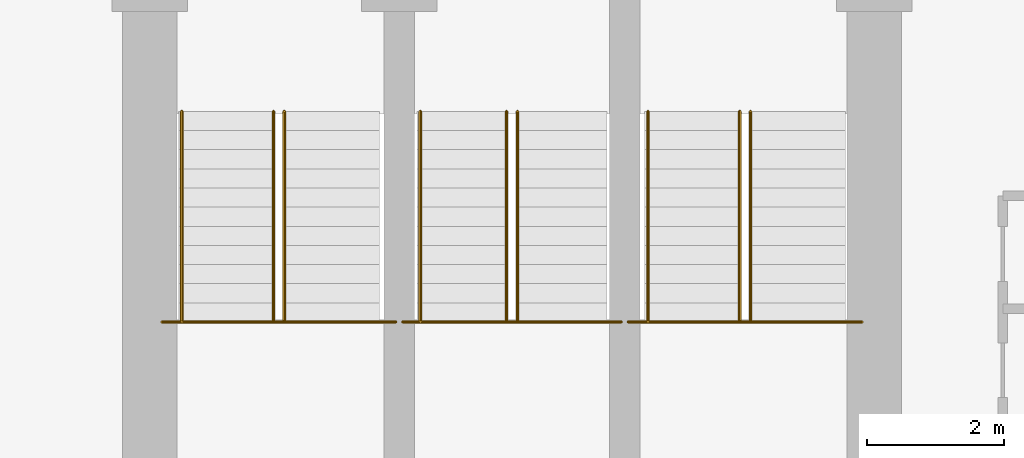
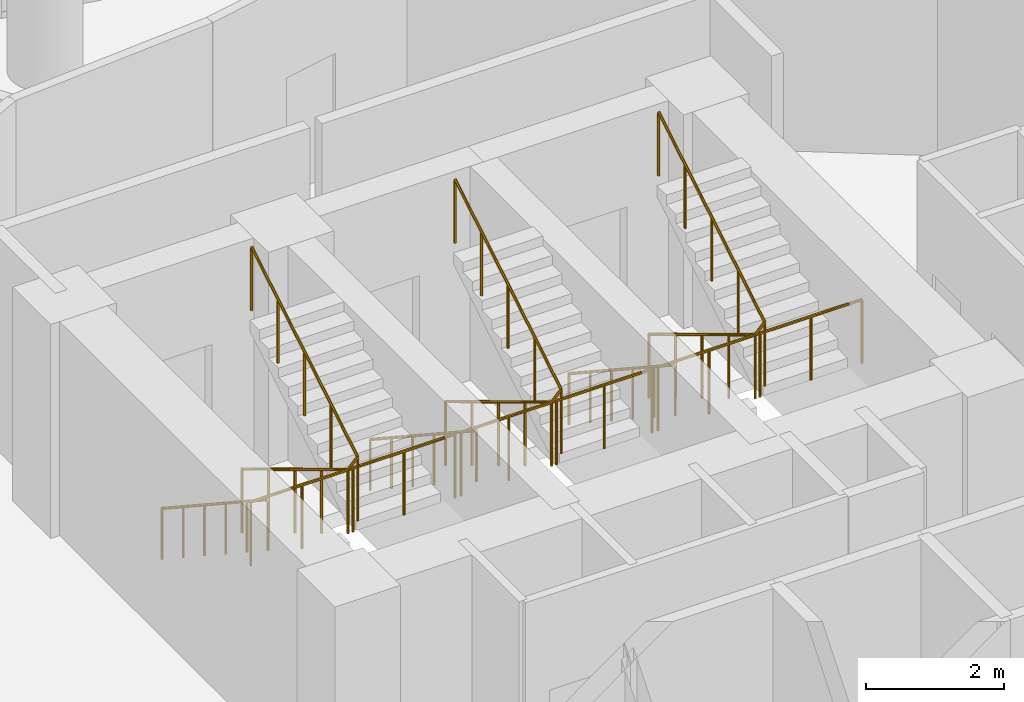
# One storey, part 24 of 24: 9 railings.
"""IFC4 building model written with IfcOpenShell, lengths in metres."""

from ifc_helpers import new_model, si_unit, direction, frame, origin, place, context, subcontext, project, spatial, polyline, outline, extrude, material, type_object, element, save


model = new_model("IFC4")

# Units and contexts
model_context = context("Model", 3, precision=1e-05, world=origin(), true_north=direction((0.0, 1.0)))
body_context = subcontext(model_context, "Body", "Model", "MODEL_VIEW")
ifc_project = project(units=[si_unit("LENGTHUNIT", "METRE"), si_unit("AREAUNIT", "SQUARE_METRE"), si_unit("VOLUMEUNIT", "CUBIC_METRE"), si_unit("PLANEANGLEUNIT", "RADIAN"), si_unit("MASSUNIT", "GRAM", prefix="KILO")], contexts=[model_context])

# Site, building, storey
site_placement = place(None, origin())
site = spatial("IfcSite", under=ifc_project, at=site_placement, CompositionType="ELEMENT")
building_placement = place(site_placement, origin())
building = spatial("IfcBuilding", under=site, at=building_placement, Name="Nuhasar Tower", CompositionType="ELEMENT")
storey_placement = place(building_placement, frame((0.0, 0.0, 25.050048828125)))
storey = spatial("IfcBuildingStorey", under=building, at=storey_placement, Name="L05", CompositionType="ELEMENT", Elevation=25.050048828125)

# Railings
ifc_material_1 = material(Name="Steel S355", Category="steel")
railing_type_1 = type_object("IfcRailingType", Name="RLG-STAIR-GUARD-1150", PredefinedType="GUARDRAIL", material=ifc_material_1)
railing_1_placement = place(storey_placement, frame((33.8798828125, 32.205078125, 2.02490234375)))
element("IfcRailing", 1, at=railing_1_placement, inside=storey, type_object=railing_type_1, Name="L05 Stair ST-01 Guardrail LND", PredefinedType="GUARDRAIL", context=body_context, shape_type="SweptSolid", body=[
    extrude(outline(polyline([(0.024169921875, 0.0), (0.01708984375, 0.01708984375), (0.0, 0.024169921875), (-0.01708984375, 0.01708984375), (-0.024169921875, 0.0), (-0.01708984375, -0.01708984375), (0.0, -0.024169921875), (0.01708984375, -0.01708984375), (0.024169921875, 0.0)])), frame((0.0, 0.0, 1.1259765625), z_axis=(1.0, 0.0, 0.0), x_axis=(0.0, 1.0, 0.0)), (0.0, 0.0, 1.0), 3.420166015625),
    extrude(outline(polyline([(0.02099609375, 0.0), (0.014892578125, 0.014892578125), (0.0, 0.02099609375), (-0.014892578125, 0.014892578125), (-0.02099609375, 0.0), (-0.014892578125, -0.014892578125), (0.0, -0.02099609375), (0.014892578125, -0.014892578125), (0.02099609375, 0.0)])), origin(), (0.0, 0.0, 1.0), 1.101806640625),
    extrude(outline(polyline([(0.02099609375, 0.0), (0.014892578125, 0.014892578125), (0.0, 0.02099609375), (-0.014892578125, 0.014892578125), (-0.02099609375, 0.0), (-0.014892578125, -0.014892578125), (0.0, -0.02099609375), (0.014892578125, -0.014892578125), (0.02099609375, 0.0)])), frame((0.85498046875, 0.0, 0.0)), (0.0, 0.0, 1.0), 1.101806640625),
    extrude(outline(polyline([(0.02099609375, 0.0), (0.014892578125, 0.014892578125), (0.0, 0.02099609375), (-0.014892578125, 0.014892578125), (-0.02099609375, 0.0), (-0.014892578125, -0.014892578125), (0.0, -0.02099609375), (0.014892578125, -0.014892578125), (0.02099609375, 0.0)])), frame((1.7099609375, 0.0, 0.0)), (0.0, 0.0, 1.0), 1.101806640625),
    extrude(outline(polyline([(0.02099609375, 0.0), (0.014892578125, 0.014892578125), (0.0, 0.02099609375), (-0.014892578125, 0.014892578125), (-0.02099609375, 0.0), (-0.014892578125, -0.014892578125), (0.0, -0.02099609375), (0.014892578125, -0.014892578125), (0.02099609375, 0.0)])), frame((2.565185546875, 0.0, 0.0)), (0.0, 0.0, 1.0), 1.101806640625),
    extrude(outline(polyline([(0.02099609375, 0.0), (0.014892578125, 0.014892578125), (0.0, 0.02099609375), (-0.014892578125, 0.014892578125), (-0.02099609375, 0.0), (-0.014892578125, -0.014892578125), (0.0, -0.02099609375), (0.014892578125, -0.014892578125), (0.02099609375, 0.0)])), frame((3.420166015625, 0.0, 0.0)), (0.0, 0.0, 1.0), 1.101806640625),
])
railing_2_placement = place(storey_placement, frame((35.510009765625, 35.284912109375, 0.1689453125)))
element("IfcRailing", 2, at=railing_2_placement, inside=storey, type_object=railing_type_1, Name="L05 Stair ST-01 Guardrail SLT", PredefinedType="GUARDRAIL", context=body_context, shape_type="SweptSolid", body=[
    extrude(outline(polyline([(0.024169921875, 0.0), (0.01708984375, 0.01708984375), (0.0, 0.024169921875), (-0.01708984375, 0.01708984375), (-0.024169921875, 0.0), (-0.01708984375, -0.01708984375), (0.0, -0.024169921875), (0.01708984375, -0.01708984375), (0.024169921875, 0.0)])), frame((0.0, 0.0, 1.1259765625), z_axis=(0.0, -0.856502863198, 0.516142272377), x_axis=(1.0, 0.0, 0.0)), (0.0, 0.0, 1.0), 3.595703125),
    extrude(outline(polyline([(0.024169921875, 0.0), (0.01708984375, 0.01708984375), (0.0, 0.024169921875), (-0.01708984375, 0.01708984375), (-0.024169921875, 0.0), (-0.01708984375, -0.01708984375), (0.0, -0.024169921875), (0.01708984375, -0.01708984375), (0.024169921875, 0.0)])), frame((0.0, -3.079833984375, 2.98193359375), z_axis=(0.687424367727, 0.0, 0.726255973232), x_axis=(0.0, 1.0, 0.0)), (0.0, 0.0, 1.0), 0.232666015625),
    extrude(outline(polyline([(0.024169921875, 0.0), (0.01708984375, 0.01708984375), (0.0, 0.024169921875), (-0.01708984375, 0.01708984375), (-0.024169921875, 0.0), (-0.01708984375, -0.01708984375), (0.0, -0.024169921875), (0.01708984375, -0.01708984375), (0.024169921875, 0.0)])), frame((0.159912109375, -3.079833984375, 3.15087890625), z_axis=(0.0, 0.8564728477, 0.51619207777), x_axis=(-1.0, 0.0, 0.0)), (0.0, 0.0, 1.0), 3.595947265625),
    extrude(outline(polyline([(0.02099609375, 0.0), (0.014892578125, 0.014892578125), (0.0, 0.02099609375), (-0.014892578125, 0.014892578125), (-0.02099609375, 0.0), (-0.014892578125, -0.014892578125), (0.0, -0.02099609375), (0.014892578125, -0.014892578125), (0.02099609375, 0.0)])), origin(), (0.0, 0.0, 1.0), 1.101806640625),
    extrude(outline(polyline([(0.02099609375, 0.0), (0.014892578125, 0.014892578125), (0.0, 0.02099609375), (-0.014892578125, 0.014892578125), (-0.02099609375, 0.0), (-0.014892578125, -0.014892578125), (0.0, -0.02099609375), (0.014892578125, -0.014892578125), (0.02099609375, 0.0)])), frame((0.0, -0.77001953125, 0.4638671875)), (0.0, 0.0, 1.0), 1.101806640625),
    extrude(outline(polyline([(0.02099609375, 0.0), (0.014892578125, 0.014892578125), (0.0, 0.02099609375), (-0.014892578125, 0.014892578125), (-0.02099609375, 0.0), (-0.014892578125, -0.014892578125), (0.0, -0.02099609375), (0.014892578125, -0.014892578125), (0.02099609375, 0.0)])), frame((0.0, -1.5400390625, 0.927978515625)), (0.0, 0.0, 1.0), 1.101806640625),
    extrude(outline(polyline([(0.02099609375, 0.0), (0.014892578125, 0.014892578125), (0.0, 0.02099609375), (-0.014892578125, 0.014892578125), (-0.02099609375, 0.0), (-0.014892578125, -0.014892578125), (0.0, -0.02099609375), (0.014892578125, -0.014892578125), (0.02099609375, 0.0)])), frame((0.0, -2.309814453125, 1.39208984375)), (0.0, 0.0, 1.0), 1.101806640625),
    extrude(outline(polyline([(0.02099609375, 0.0), (0.014892578125, 0.014892578125), (0.0, 0.02099609375), (-0.014892578125, 0.014892578125), (-0.02099609375, 0.0), (-0.014892578125, -0.014892578125), (0.0, -0.02099609375), (0.014892578125, -0.014892578125), (0.02099609375, 0.0)])), frame((0.0, -3.079833984375, 1.85595703125)), (0.0, 0.0, 1.0), 1.101806640625),
    extrude(outline(polyline([(0.02099609375, 0.0), (0.014892578125, 0.014892578125), (0.0, 0.02099609375), (-0.014892578125, 0.014892578125), (-0.02099609375, 0.0), (-0.014892578125, -0.014892578125), (0.0, -0.02099609375), (0.014892578125, -0.014892578125), (0.02099609375, 0.0)])), frame((0.159912109375, -3.079833984375, 2.02490234375)), (0.0, 0.0, 1.0), 1.101806640625),
    extrude(outline(polyline([(0.02099609375, 0.0), (0.014892578125, 0.014892578125), (0.0, 0.02099609375), (-0.014892578125, 0.014892578125), (-0.02099609375, 0.0), (-0.014892578125, -0.014892578125), (0.0, -0.02099609375), (0.014892578125, -0.014892578125), (0.02099609375, 0.0)])), frame((0.159912109375, -2.309814453125, 2.489013671875)), (0.0, 0.0, 1.0), 1.101806640625),
    extrude(outline(polyline([(0.02099609375, 0.0), (0.014892578125, 0.014892578125), (0.0, 0.02099609375), (-0.014892578125, 0.014892578125), (-0.02099609375, 0.0), (-0.014892578125, -0.014892578125), (0.0, -0.02099609375), (0.014892578125, -0.014892578125), (0.02099609375, 0.0)])), frame((0.159912109375, -1.5400390625, 2.953125)), (0.0, 0.0, 1.0), 1.101806640625),
    extrude(outline(polyline([(0.02099609375, 0.0), (0.014892578125, 0.014892578125), (0.0, 0.02099609375), (-0.014892578125, 0.014892578125), (-0.02099609375, 0.0), (-0.014892578125, -0.014892578125), (0.0, -0.02099609375), (0.014892578125, -0.014892578125), (0.02099609375, 0.0)])), frame((0.159912109375, -0.77001953125, 3.4169921875)), (0.0, 0.0, 1.0), 1.101806640625),
    extrude(outline(polyline([(0.02099609375, 0.0), (0.014892578125, 0.014892578125), (0.0, 0.02099609375), (-0.014892578125, 0.014892578125), (-0.02099609375, 0.0), (-0.014892578125, -0.014892578125), (0.0, -0.02099609375), (0.014892578125, -0.014892578125), (0.02099609375, 0.0)])), frame((0.159912109375, 0.0, 3.881103515625)), (0.0, 0.0, 1.0), 1.101806640625),
])
railing_3_placement = place(storey_placement, frame((37.39990234375, 32.205078125, 2.02490234375)))
element("IfcRailing", 3, at=railing_3_placement, inside=storey, type_object=railing_type_1, Name="L05 Stair ST-03 Guardrail LND", PredefinedType="GUARDRAIL", context=body_context, shape_type="SweptSolid", body=[
    extrude(outline(polyline([(0.024169921875, 0.0), (0.01708984375, 0.01708984375), (0.0, 0.024169921875), (-0.01708984375, 0.01708984375), (-0.024169921875, 0.0), (-0.01708984375, -0.01708984375), (0.0, -0.024169921875), (0.01708984375, -0.01708984375), (0.024169921875, 0.0)])), frame((0.0, 0.0, 1.1259765625), z_axis=(1.0, 0.0, 0.0), x_axis=(0.0, 1.0, 0.0)), (0.0, 0.0, 1.0), 3.2001953125),
    extrude(outline(polyline([(0.02099609375, 0.0), (0.014892578125, 0.014892578125), (0.0, 0.02099609375), (-0.014892578125, 0.014892578125), (-0.02099609375, 0.0), (-0.014892578125, -0.014892578125), (0.0, -0.02099609375), (0.014892578125, -0.014892578125), (0.02099609375, 0.0)])), origin(), (0.0, 0.0, 1.0), 1.101806640625),
    extrude(outline(polyline([(0.02099609375, 0.0), (0.014892578125, 0.014892578125), (0.0, 0.02099609375), (-0.014892578125, 0.014892578125), (-0.02099609375, 0.0), (-0.014892578125, -0.014892578125), (0.0, -0.02099609375), (0.014892578125, -0.014892578125), (0.02099609375, 0.0)])), frame((0.800048828125, 0.0, 0.0)), (0.0, 0.0, 1.0), 1.101806640625),
    extrude(outline(polyline([(0.02099609375, 0.0), (0.014892578125, 0.014892578125), (0.0, 0.02099609375), (-0.014892578125, 0.014892578125), (-0.02099609375, 0.0), (-0.014892578125, -0.014892578125), (0.0, -0.02099609375), (0.014892578125, -0.014892578125), (0.02099609375, 0.0)])), frame((1.60009765625, 0.0, 0.0)), (0.0, 0.0, 1.0), 1.101806640625),
    extrude(outline(polyline([(0.02099609375, 0.0), (0.014892578125, 0.014892578125), (0.0, 0.02099609375), (-0.014892578125, 0.014892578125), (-0.02099609375, 0.0), (-0.014892578125, -0.014892578125), (0.0, -0.02099609375), (0.014892578125, -0.014892578125), (0.02099609375, 0.0)])), frame((2.400146484375, 0.0, 0.0)), (0.0, 0.0, 1.0), 1.101806640625),
    extrude(outline(polyline([(0.02099609375, 0.0), (0.014892578125, 0.014892578125), (0.0, 0.02099609375), (-0.014892578125, 0.014892578125), (-0.02099609375, 0.0), (-0.014892578125, -0.014892578125), (0.0, -0.02099609375), (0.014892578125, -0.014892578125), (0.02099609375, 0.0)])), frame((3.2001953125, 0.0, 0.0)), (0.0, 0.0, 1.0), 1.101806640625),
])
railing_4_placement = place(storey_placement, frame((38.919921875, 35.284912109375, 0.1689453125)))
element("IfcRailing", 4, at=railing_4_placement, inside=storey, type_object=railing_type_1, Name="L05 Stair ST-03 Guardrail SLT", PredefinedType="GUARDRAIL", context=body_context, shape_type="SweptSolid", body=[
    extrude(outline(polyline([(0.024169921875, 0.0), (0.01708984375, 0.01708984375), (0.0, 0.024169921875), (-0.01708984375, 0.01708984375), (-0.024169921875, 0.0), (-0.01708984375, -0.01708984375), (0.0, -0.024169921875), (0.01708984375, -0.01708984375), (0.024169921875, 0.0)])), frame((0.0, 0.0, 1.1259765625), z_axis=(0.0, -0.856502863198, 0.516142272377), x_axis=(1.0, 0.0, 0.0)), (0.0, 0.0, 1.0), 3.595703125),
    extrude(outline(polyline([(0.024169921875, 0.0), (0.01708984375, 0.01708984375), (0.0, 0.024169921875), (-0.01708984375, 0.01708984375), (-0.024169921875, 0.0), (-0.01708984375, -0.01708984375), (0.0, -0.024169921875), (0.01708984375, -0.01708984375), (0.024169921875, 0.0)])), frame((0.0, -3.079833984375, 2.98193359375), z_axis=(0.687977326998, 0.0, 0.725732180309), x_axis=(0.0, 1.0, 0.0)), (0.0, 0.0, 1.0), 0.23291015625),
    extrude(outline(polyline([(0.024169921875, 0.0), (0.01708984375, 0.01708984375), (0.0, 0.024169921875), (-0.01708984375, 0.01708984375), (-0.024169921875, 0.0), (-0.01708984375, -0.01708984375), (0.0, -0.024169921875), (0.01708984375, -0.01708984375), (0.024169921875, 0.0)])), frame((0.16015625, -3.079833984375, 3.15087890625), z_axis=(0.0, 0.8564728477, 0.51619207777), x_axis=(-1.0, 0.0, 0.0)), (0.0, 0.0, 1.0), 3.595947265625),
    extrude(outline(polyline([(0.02099609375, 0.0), (0.014892578125, 0.014892578125), (0.0, 0.02099609375), (-0.014892578125, 0.014892578125), (-0.02099609375, 0.0), (-0.014892578125, -0.014892578125), (0.0, -0.02099609375), (0.014892578125, -0.014892578125), (0.02099609375, 0.0)])), origin(), (0.0, 0.0, 1.0), 1.101806640625),
    extrude(outline(polyline([(0.02099609375, 0.0), (0.014892578125, 0.014892578125), (0.0, 0.02099609375), (-0.014892578125, 0.014892578125), (-0.02099609375, 0.0), (-0.014892578125, -0.014892578125), (0.0, -0.02099609375), (0.014892578125, -0.014892578125), (0.02099609375, 0.0)])), frame((0.0, -0.77001953125, 0.4638671875)), (0.0, 0.0, 1.0), 1.101806640625),
    extrude(outline(polyline([(0.02099609375, 0.0), (0.014892578125, 0.014892578125), (0.0, 0.02099609375), (-0.014892578125, 0.014892578125), (-0.02099609375, 0.0), (-0.014892578125, -0.014892578125), (0.0, -0.02099609375), (0.014892578125, -0.014892578125), (0.02099609375, 0.0)])), frame((0.0, -1.5400390625, 0.927978515625)), (0.0, 0.0, 1.0), 1.101806640625),
    extrude(outline(polyline([(0.02099609375, 0.0), (0.014892578125, 0.014892578125), (0.0, 0.02099609375), (-0.014892578125, 0.014892578125), (-0.02099609375, 0.0), (-0.014892578125, -0.014892578125), (0.0, -0.02099609375), (0.014892578125, -0.014892578125), (0.02099609375, 0.0)])), frame((0.0, -2.309814453125, 1.39208984375)), (0.0, 0.0, 1.0), 1.101806640625),
    extrude(outline(polyline([(0.02099609375, 0.0), (0.014892578125, 0.014892578125), (0.0, 0.02099609375), (-0.014892578125, 0.014892578125), (-0.02099609375, 0.0), (-0.014892578125, -0.014892578125), (0.0, -0.02099609375), (0.014892578125, -0.014892578125), (0.02099609375, 0.0)])), frame((0.0, -3.079833984375, 1.85595703125)), (0.0, 0.0, 1.0), 1.101806640625),
    extrude(outline(polyline([(0.02099609375, 0.0), (0.014892578125, 0.014892578125), (0.0, 0.02099609375), (-0.014892578125, 0.014892578125), (-0.02099609375, 0.0), (-0.014892578125, -0.014892578125), (0.0, -0.02099609375), (0.014892578125, -0.014892578125), (0.02099609375, 0.0)])), frame((0.16015625, -3.079833984375, 2.02490234375)), (0.0, 0.0, 1.0), 1.101806640625),
    extrude(outline(polyline([(0.02099609375, 0.0), (0.014892578125, 0.014892578125), (0.0, 0.02099609375), (-0.014892578125, 0.014892578125), (-0.02099609375, 0.0), (-0.014892578125, -0.014892578125), (0.0, -0.02099609375), (0.014892578125, -0.014892578125), (0.02099609375, 0.0)])), frame((0.16015625, -2.309814453125, 2.489013671875)), (0.0, 0.0, 1.0), 1.101806640625),
    extrude(outline(polyline([(0.02099609375, 0.0), (0.014892578125, 0.014892578125), (0.0, 0.02099609375), (-0.014892578125, 0.014892578125), (-0.02099609375, 0.0), (-0.014892578125, -0.014892578125), (0.0, -0.02099609375), (0.014892578125, -0.014892578125), (0.02099609375, 0.0)])), frame((0.16015625, -1.5400390625, 2.953125)), (0.0, 0.0, 1.0), 1.101806640625),
    extrude(outline(polyline([(0.02099609375, 0.0), (0.014892578125, 0.014892578125), (0.0, 0.02099609375), (-0.014892578125, 0.014892578125), (-0.02099609375, 0.0), (-0.014892578125, -0.014892578125), (0.0, -0.02099609375), (0.014892578125, -0.014892578125), (0.02099609375, 0.0)])), frame((0.16015625, -0.77001953125, 3.4169921875)), (0.0, 0.0, 1.0), 1.101806640625),
    extrude(outline(polyline([(0.02099609375, 0.0), (0.014892578125, 0.014892578125), (0.0, 0.02099609375), (-0.014892578125, 0.014892578125), (-0.02099609375, 0.0), (-0.014892578125, -0.014892578125), (0.0, -0.02099609375), (0.014892578125, -0.014892578125), (0.02099609375, 0.0)])), frame((0.16015625, 0.0, 3.881103515625)), (0.0, 0.0, 1.0), 1.101806640625),
])
railing_5_placement = place(storey_placement, frame((40.699951171875, 32.205078125, 2.02490234375)))
element("IfcRailing", 5, at=railing_5_placement, inside=storey, type_object=railing_type_1, Name="L05 Stair ST-02 Guardrail LND", PredefinedType="GUARDRAIL", context=body_context, shape_type="SweptSolid", body=[
    extrude(outline(polyline([(0.024169921875, 0.0), (0.01708984375, 0.01708984375), (0.0, 0.024169921875), (-0.01708984375, 0.01708984375), (-0.024169921875, 0.0), (-0.01708984375, -0.01708984375), (0.0, -0.024169921875), (0.01708984375, -0.01708984375), (0.024169921875, 0.0)])), frame((0.0, 0.0, 1.1259765625), z_axis=(1.0, 0.0, 0.0), x_axis=(0.0, 1.0, 0.0)), (0.0, 0.0, 1.0), 3.420166015625),
    extrude(outline(polyline([(0.02099609375, 0.0), (0.014892578125, 0.014892578125), (0.0, 0.02099609375), (-0.014892578125, 0.014892578125), (-0.02099609375, 0.0), (-0.014892578125, -0.014892578125), (0.0, -0.02099609375), (0.014892578125, -0.014892578125), (0.02099609375, 0.0)])), origin(), (0.0, 0.0, 1.0), 1.101806640625),
    extrude(outline(polyline([(0.02099609375, 0.0), (0.014892578125, 0.014892578125), (0.0, 0.02099609375), (-0.014892578125, 0.014892578125), (-0.02099609375, 0.0), (-0.014892578125, -0.014892578125), (0.0, -0.02099609375), (0.014892578125, -0.014892578125), (0.02099609375, 0.0)])), frame((0.85498046875, 0.0, 0.0)), (0.0, 0.0, 1.0), 1.101806640625),
    extrude(outline(polyline([(0.02099609375, 0.0), (0.014892578125, 0.014892578125), (0.0, 0.02099609375), (-0.014892578125, 0.014892578125), (-0.02099609375, 0.0), (-0.014892578125, -0.014892578125), (0.0, -0.02099609375), (0.014892578125, -0.014892578125), (0.02099609375, 0.0)])), frame((1.7099609375, 0.0, 0.0)), (0.0, 0.0, 1.0), 1.101806640625),
    extrude(outline(polyline([(0.02099609375, 0.0), (0.014892578125, 0.014892578125), (0.0, 0.02099609375), (-0.014892578125, 0.014892578125), (-0.02099609375, 0.0), (-0.014892578125, -0.014892578125), (0.0, -0.02099609375), (0.014892578125, -0.014892578125), (0.02099609375, 0.0)])), frame((2.565185546875, 0.0, 0.0)), (0.0, 0.0, 1.0), 1.101806640625),
    extrude(outline(polyline([(0.02099609375, 0.0), (0.014892578125, 0.014892578125), (0.0, 0.02099609375), (-0.014892578125, 0.014892578125), (-0.02099609375, 0.0), (-0.014892578125, -0.014892578125), (0.0, -0.02099609375), (0.014892578125, -0.014892578125), (0.02099609375, 0.0)])), frame((3.420166015625, 0.0, 0.0)), (0.0, 0.0, 1.0), 1.101806640625),
])
railing_6_placement = place(storey_placement, frame((42.330078125, 35.284912109375, 0.1689453125)))
element("IfcRailing", 6, at=railing_6_placement, inside=storey, type_object=railing_type_1, Name="L05 Stair ST-02 Guardrail SLT", PredefinedType="GUARDRAIL", context=body_context, shape_type="SweptSolid", body=[
    extrude(outline(polyline([(0.024169921875, 0.0), (0.01708984375, 0.01708984375), (0.0, 0.024169921875), (-0.01708984375, 0.01708984375), (-0.024169921875, 0.0), (-0.01708984375, -0.01708984375), (0.0, -0.024169921875), (0.01708984375, -0.01708984375), (0.024169921875, 0.0)])), frame((0.0, 0.0, 1.1259765625), z_axis=(0.0, -0.856502863198, 0.516142272377), x_axis=(1.0, 0.0, 0.0)), (0.0, 0.0, 1.0), 3.595703125),
    extrude(outline(polyline([(0.024169921875, 0.0), (0.01708984375, 0.01708984375), (0.0, 0.024169921875), (-0.01708984375, 0.01708984375), (-0.024169921875, 0.0), (-0.01708984375, -0.01708984375), (0.0, -0.024169921875), (0.01708984375, -0.01708984375), (0.024169921875, 0.0)])), frame((0.0, -3.079833984375, 2.98193359375), z_axis=(0.687424367727, 0.0, 0.726255973232), x_axis=(0.0, 1.0, 0.0)), (0.0, 0.0, 1.0), 0.232666015625),
    extrude(outline(polyline([(0.024169921875, 0.0), (0.01708984375, 0.01708984375), (0.0, 0.024169921875), (-0.01708984375, 0.01708984375), (-0.024169921875, 0.0), (-0.01708984375, -0.01708984375), (0.0, -0.024169921875), (0.01708984375, -0.01708984375), (0.024169921875, 0.0)])), frame((0.159912109375, -3.079833984375, 3.15087890625), z_axis=(0.0, 0.8564728477, 0.51619207777), x_axis=(-1.0, 0.0, 0.0)), (0.0, 0.0, 1.0), 3.595947265625),
    extrude(outline(polyline([(0.02099609375, 0.0), (0.014892578125, 0.014892578125), (0.0, 0.02099609375), (-0.014892578125, 0.014892578125), (-0.02099609375, 0.0), (-0.014892578125, -0.014892578125), (0.0, -0.02099609375), (0.014892578125, -0.014892578125), (0.02099609375, 0.0)])), origin(), (0.0, 0.0, 1.0), 1.101806640625),
    extrude(outline(polyline([(0.02099609375, 0.0), (0.014892578125, 0.014892578125), (0.0, 0.02099609375), (-0.014892578125, 0.014892578125), (-0.02099609375, 0.0), (-0.014892578125, -0.014892578125), (0.0, -0.02099609375), (0.014892578125, -0.014892578125), (0.02099609375, 0.0)])), frame((0.0, -0.77001953125, 0.4638671875)), (0.0, 0.0, 1.0), 1.101806640625),
    extrude(outline(polyline([(0.02099609375, 0.0), (0.014892578125, 0.014892578125), (0.0, 0.02099609375), (-0.014892578125, 0.014892578125), (-0.02099609375, 0.0), (-0.014892578125, -0.014892578125), (0.0, -0.02099609375), (0.014892578125, -0.014892578125), (0.02099609375, 0.0)])), frame((0.0, -1.5400390625, 0.927978515625)), (0.0, 0.0, 1.0), 1.101806640625),
    extrude(outline(polyline([(0.02099609375, 0.0), (0.014892578125, 0.014892578125), (0.0, 0.02099609375), (-0.014892578125, 0.014892578125), (-0.02099609375, 0.0), (-0.014892578125, -0.014892578125), (0.0, -0.02099609375), (0.014892578125, -0.014892578125), (0.02099609375, 0.0)])), frame((0.0, -2.309814453125, 1.39208984375)), (0.0, 0.0, 1.0), 1.101806640625),
    extrude(outline(polyline([(0.02099609375, 0.0), (0.014892578125, 0.014892578125), (0.0, 0.02099609375), (-0.014892578125, 0.014892578125), (-0.02099609375, 0.0), (-0.014892578125, -0.014892578125), (0.0, -0.02099609375), (0.014892578125, -0.014892578125), (0.02099609375, 0.0)])), frame((0.0, -3.079833984375, 1.85595703125)), (0.0, 0.0, 1.0), 1.101806640625),
    extrude(outline(polyline([(0.02099609375, 0.0), (0.014892578125, 0.014892578125), (0.0, 0.02099609375), (-0.014892578125, 0.014892578125), (-0.02099609375, 0.0), (-0.014892578125, -0.014892578125), (0.0, -0.02099609375), (0.014892578125, -0.014892578125), (0.02099609375, 0.0)])), frame((0.159912109375, -3.079833984375, 2.02490234375)), (0.0, 0.0, 1.0), 1.101806640625),
    extrude(outline(polyline([(0.02099609375, 0.0), (0.014892578125, 0.014892578125), (0.0, 0.02099609375), (-0.014892578125, 0.014892578125), (-0.02099609375, 0.0), (-0.014892578125, -0.014892578125), (0.0, -0.02099609375), (0.014892578125, -0.014892578125), (0.02099609375, 0.0)])), frame((0.159912109375, -2.309814453125, 2.489013671875)), (0.0, 0.0, 1.0), 1.101806640625),
    extrude(outline(polyline([(0.02099609375, 0.0), (0.014892578125, 0.014892578125), (0.0, 0.02099609375), (-0.014892578125, 0.014892578125), (-0.02099609375, 0.0), (-0.014892578125, -0.014892578125), (0.0, -0.02099609375), (0.014892578125, -0.014892578125), (0.02099609375, 0.0)])), frame((0.159912109375, -1.5400390625, 2.953125)), (0.0, 0.0, 1.0), 1.101806640625),
    extrude(outline(polyline([(0.02099609375, 0.0), (0.014892578125, 0.014892578125), (0.0, 0.02099609375), (-0.014892578125, 0.014892578125), (-0.02099609375, 0.0), (-0.014892578125, -0.014892578125), (0.0, -0.02099609375), (0.014892578125, -0.014892578125), (0.02099609375, 0.0)])), frame((0.159912109375, -0.77001953125, 3.4169921875)), (0.0, 0.0, 1.0), 1.101806640625),
    extrude(outline(polyline([(0.02099609375, 0.0), (0.014892578125, 0.014892578125), (0.0, 0.02099609375), (-0.014892578125, 0.014892578125), (-0.02099609375, 0.0), (-0.014892578125, -0.014892578125), (0.0, -0.02099609375), (0.014892578125, -0.014892578125), (0.02099609375, 0.0)])), frame((0.159912109375, 0.0, 3.881103515625)), (0.0, 0.0, 1.0), 1.101806640625),
])
ifc_material_2 = material(Name="Stainless Steel 316L", Category="steel")
railing_type_2 = type_object("IfcRailingType", Name="RLG-STAIR-HAND-920", PredefinedType="HANDRAIL", material=ifc_material_2)
railing_7_placement = place(storey_placement, frame((34.169921875, 35.284912109375, 0.1689453125)))
element("IfcRailing", 7, at=railing_7_placement, inside=storey, type_object=railing_type_2, Name="L05 Stair ST-01 Handrail HND1", PredefinedType="HANDRAIL", context=body_context, shape_type="SweptSolid", body=[
    extrude(outline(polyline([(0.024169921875, 0.0), (0.01708984375, 0.01708984375), (0.0, 0.024169921875), (-0.01708984375, 0.01708984375), (-0.024169921875, 0.0), (-0.01708984375, -0.01708984375), (0.0, -0.024169921875), (0.01708984375, -0.01708984375), (0.024169921875, 0.0)])), frame((0.0, 0.0, 0.89599609375), z_axis=(0.0, -0.83557951683, 0.54936952141), x_axis=(1.0, 0.0, 0.0)), (0.0, 0.0, 1.0), 3.685791015625),
    extrude(outline(polyline([(0.02099609375, 0.0), (0.014892578125, 0.014892578125), (0.0, 0.02099609375), (-0.014892578125, 0.014892578125), (-0.02099609375, 0.0), (-0.014892578125, -0.014892578125), (0.0, -0.02099609375), (0.014892578125, -0.014892578125), (0.02099609375, 0.0)])), origin(), (0.0, 0.0, 1.0), 0.871826171875),
    extrude(outline(polyline([(0.02099609375, 0.0), (0.014892578125, 0.014892578125), (0.0, 0.02099609375), (-0.014892578125, 0.014892578125), (-0.02099609375, 0.0), (-0.014892578125, -0.014892578125), (0.0, -0.02099609375), (0.014892578125, -0.014892578125), (0.02099609375, 0.0)])), frame((0.0, -0.615966796875, 0.405029296875)), (0.0, 0.0, 1.0), 0.871826171875),
    extrude(outline(polyline([(0.02099609375, 0.0), (0.014892578125, 0.014892578125), (0.0, 0.02099609375), (-0.014892578125, 0.014892578125), (-0.02099609375, 0.0), (-0.014892578125, -0.014892578125), (0.0, -0.02099609375), (0.014892578125, -0.014892578125), (0.02099609375, 0.0)])), frame((0.0, -1.23193359375, 0.81005859375)), (0.0, 0.0, 1.0), 0.871826171875),
    extrude(outline(polyline([(0.02099609375, 0.0), (0.014892578125, 0.014892578125), (0.0, 0.02099609375), (-0.014892578125, 0.014892578125), (-0.02099609375, 0.0), (-0.014892578125, -0.014892578125), (0.0, -0.02099609375), (0.014892578125, -0.014892578125), (0.02099609375, 0.0)])), frame((0.0, -1.847900390625, 1.21484375)), (0.0, 0.0, 1.0), 0.871826171875),
    extrude(outline(polyline([(0.02099609375, 0.0), (0.014892578125, 0.014892578125), (0.0, 0.02099609375), (-0.014892578125, 0.014892578125), (-0.02099609375, 0.0), (-0.014892578125, -0.014892578125), (0.0, -0.02099609375), (0.014892578125, -0.014892578125), (0.02099609375, 0.0)])), frame((0.0, -2.4638671875, 1.619873046875)), (0.0, 0.0, 1.0), 0.871826171875),
    extrude(outline(polyline([(0.02099609375, 0.0), (0.014892578125, 0.014892578125), (0.0, 0.02099609375), (-0.014892578125, 0.014892578125), (-0.02099609375, 0.0), (-0.014892578125, -0.014892578125), (0.0, -0.02099609375), (0.014892578125, -0.014892578125), (0.02099609375, 0.0)])), frame((0.0, -3.079833984375, 2.02490234375)), (0.0, 0.0, 1.0), 0.871826171875),
])
railing_8_placement = place(storey_placement, frame((37.659912109375, 35.284912109375, 0.1689453125)))
element("IfcRailing", 8, at=railing_8_placement, inside=storey, type_object=railing_type_2, Name="L05 Stair ST-03 Handrail HND1", PredefinedType="HANDRAIL", context=body_context, shape_type="SweptSolid", body=[
    extrude(outline(polyline([(0.024169921875, 0.0), (0.01708984375, 0.01708984375), (0.0, 0.024169921875), (-0.01708984375, 0.01708984375), (-0.024169921875, 0.0), (-0.01708984375, -0.01708984375), (0.0, -0.024169921875), (0.01708984375, -0.01708984375), (0.024169921875, 0.0)])), frame((0.0, 0.0, 0.89599609375), z_axis=(0.0, -0.83557951683, 0.54936952141), x_axis=(1.0, 0.0, 0.0)), (0.0, 0.0, 1.0), 3.685791015625),
    extrude(outline(polyline([(0.02099609375, 0.0), (0.014892578125, 0.014892578125), (0.0, 0.02099609375), (-0.014892578125, 0.014892578125), (-0.02099609375, 0.0), (-0.014892578125, -0.014892578125), (0.0, -0.02099609375), (0.014892578125, -0.014892578125), (0.02099609375, 0.0)])), origin(), (0.0, 0.0, 1.0), 0.871826171875),
    extrude(outline(polyline([(0.02099609375, 0.0), (0.014892578125, 0.014892578125), (0.0, 0.02099609375), (-0.014892578125, 0.014892578125), (-0.02099609375, 0.0), (-0.014892578125, -0.014892578125), (0.0, -0.02099609375), (0.014892578125, -0.014892578125), (0.02099609375, 0.0)])), frame((0.0, -0.615966796875, 0.405029296875)), (0.0, 0.0, 1.0), 0.871826171875),
    extrude(outline(polyline([(0.02099609375, 0.0), (0.014892578125, 0.014892578125), (0.0, 0.02099609375), (-0.014892578125, 0.014892578125), (-0.02099609375, 0.0), (-0.014892578125, -0.014892578125), (0.0, -0.02099609375), (0.014892578125, -0.014892578125), (0.02099609375, 0.0)])), frame((0.0, -1.23193359375, 0.81005859375)), (0.0, 0.0, 1.0), 0.871826171875),
    extrude(outline(polyline([(0.02099609375, 0.0), (0.014892578125, 0.014892578125), (0.0, 0.02099609375), (-0.014892578125, 0.014892578125), (-0.02099609375, 0.0), (-0.014892578125, -0.014892578125), (0.0, -0.02099609375), (0.014892578125, -0.014892578125), (0.02099609375, 0.0)])), frame((0.0, -1.847900390625, 1.21484375)), (0.0, 0.0, 1.0), 0.871826171875),
    extrude(outline(polyline([(0.02099609375, 0.0), (0.014892578125, 0.014892578125), (0.0, 0.02099609375), (-0.014892578125, 0.014892578125), (-0.02099609375, 0.0), (-0.014892578125, -0.014892578125), (0.0, -0.02099609375), (0.014892578125, -0.014892578125), (0.02099609375, 0.0)])), frame((0.0, -2.4638671875, 1.619873046875)), (0.0, 0.0, 1.0), 0.871826171875),
    extrude(outline(polyline([(0.02099609375, 0.0), (0.014892578125, 0.014892578125), (0.0, 0.02099609375), (-0.014892578125, 0.014892578125), (-0.02099609375, 0.0), (-0.014892578125, -0.014892578125), (0.0, -0.02099609375), (0.014892578125, -0.014892578125), (0.02099609375, 0.0)])), frame((0.0, -3.079833984375, 2.02490234375)), (0.0, 0.0, 1.0), 0.871826171875),
])
railing_9_placement = place(storey_placement, frame((40.989990234375, 35.284912109375, 0.1689453125)))
element("IfcRailing", 9, at=railing_9_placement, inside=storey, type_object=railing_type_2, Name="L05 Stair ST-02 Handrail HND1", PredefinedType="HANDRAIL", context=body_context, shape_type="SweptSolid", body=[
    extrude(outline(polyline([(0.024169921875, 0.0), (0.01708984375, 0.01708984375), (0.0, 0.024169921875), (-0.01708984375, 0.01708984375), (-0.024169921875, 0.0), (-0.01708984375, -0.01708984375), (0.0, -0.024169921875), (0.01708984375, -0.01708984375), (0.024169921875, 0.0)])), frame((0.0, 0.0, 0.89599609375), z_axis=(0.0, -0.83557951683, 0.54936952141), x_axis=(1.0, 0.0, 0.0)), (0.0, 0.0, 1.0), 3.685791015625),
    extrude(outline(polyline([(0.02099609375, 0.0), (0.014892578125, 0.014892578125), (0.0, 0.02099609375), (-0.014892578125, 0.014892578125), (-0.02099609375, 0.0), (-0.014892578125, -0.014892578125), (0.0, -0.02099609375), (0.014892578125, -0.014892578125), (0.02099609375, 0.0)])), origin(), (0.0, 0.0, 1.0), 0.871826171875),
    extrude(outline(polyline([(0.02099609375, 0.0), (0.014892578125, 0.014892578125), (0.0, 0.02099609375), (-0.014892578125, 0.014892578125), (-0.02099609375, 0.0), (-0.014892578125, -0.014892578125), (0.0, -0.02099609375), (0.014892578125, -0.014892578125), (0.02099609375, 0.0)])), frame((0.0, -0.615966796875, 0.405029296875)), (0.0, 0.0, 1.0), 0.871826171875),
    extrude(outline(polyline([(0.02099609375, 0.0), (0.014892578125, 0.014892578125), (0.0, 0.02099609375), (-0.014892578125, 0.014892578125), (-0.02099609375, 0.0), (-0.014892578125, -0.014892578125), (0.0, -0.02099609375), (0.014892578125, -0.014892578125), (0.02099609375, 0.0)])), frame((0.0, -1.23193359375, 0.81005859375)), (0.0, 0.0, 1.0), 0.871826171875),
    extrude(outline(polyline([(0.02099609375, 0.0), (0.014892578125, 0.014892578125), (0.0, 0.02099609375), (-0.014892578125, 0.014892578125), (-0.02099609375, 0.0), (-0.014892578125, -0.014892578125), (0.0, -0.02099609375), (0.014892578125, -0.014892578125), (0.02099609375, 0.0)])), frame((0.0, -1.847900390625, 1.21484375)), (0.0, 0.0, 1.0), 0.871826171875),
    extrude(outline(polyline([(0.02099609375, 0.0), (0.014892578125, 0.014892578125), (0.0, 0.02099609375), (-0.014892578125, 0.014892578125), (-0.02099609375, 0.0), (-0.014892578125, -0.014892578125), (0.0, -0.02099609375), (0.014892578125, -0.014892578125), (0.02099609375, 0.0)])), frame((0.0, -2.4638671875, 1.619873046875)), (0.0, 0.0, 1.0), 0.871826171875),
    extrude(outline(polyline([(0.02099609375, 0.0), (0.014892578125, 0.014892578125), (0.0, 0.02099609375), (-0.014892578125, 0.014892578125), (-0.02099609375, 0.0), (-0.014892578125, -0.014892578125), (0.0, -0.02099609375), (0.014892578125, -0.014892578125), (0.02099609375, 0.0)])), frame((0.0, -3.079833984375, 2.02490234375)), (0.0, 0.0, 1.0), 0.871826171875),
])

save(model, "model.ifc")
